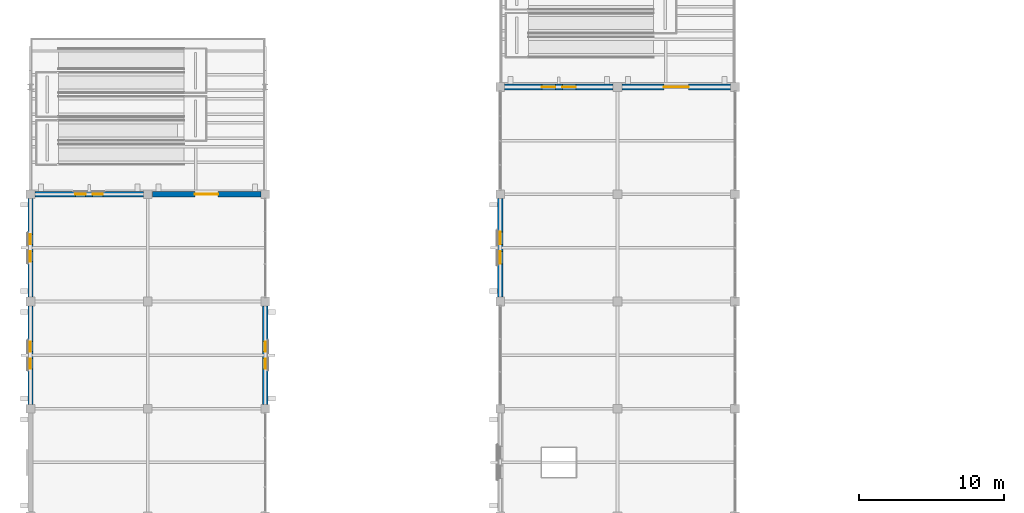
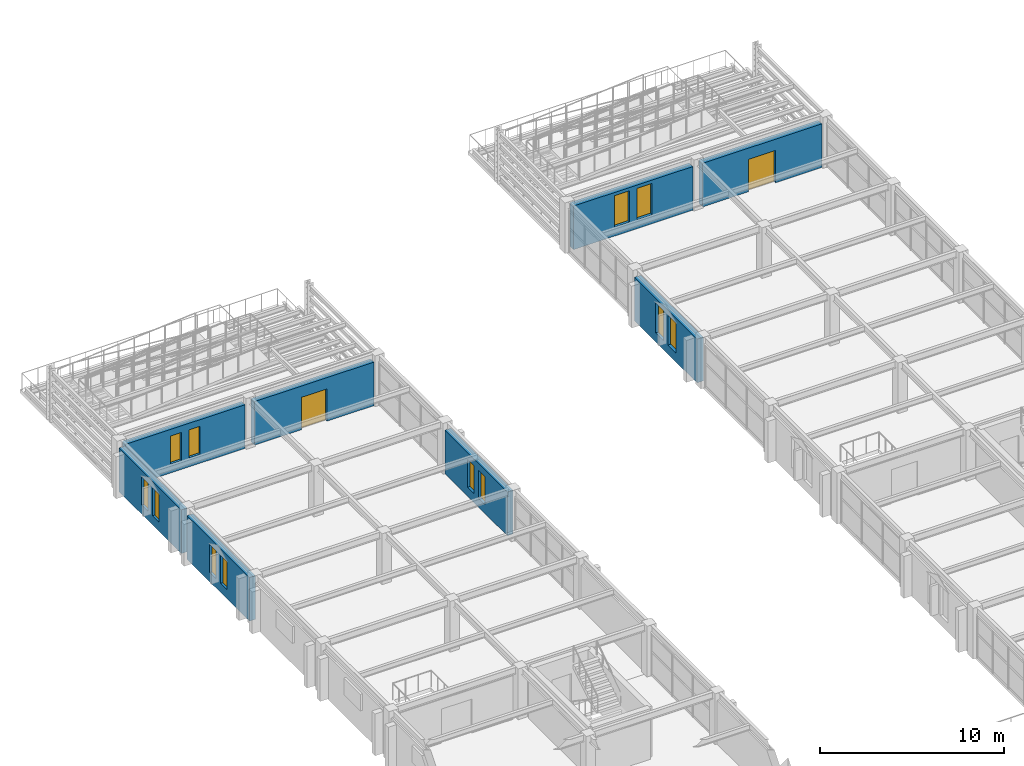
# One storey, part 105 of 121: 12 windows, 8 walls, 2 doors, 14 openings.
"""IFC4 building model written with IfcOpenShell, lengths in metres."""

from ifc_helpers import new_model, si_unit, direction, frame, frame_2d, origin, place, context, subcontext, project, spatial, rectangle, extrude, material, layer, layer_set, type_object, element, fill, save


model = new_model("IFC4")

# Units and contexts
model_context = context("Model", 3, precision=1e-05, world=origin(), true_north=direction((0.0, 1.0)))
body_context = subcontext(model_context, "Body", "Model", "MODEL_VIEW")
ifc_project = project(units=[si_unit("LENGTHUNIT", "METRE"), si_unit("AREAUNIT", "SQUARE_METRE"), si_unit("VOLUMEUNIT", "CUBIC_METRE"), si_unit("PLANEANGLEUNIT", "RADIAN"), si_unit("MASSUNIT", "GRAM", prefix="KILO")], contexts=[model_context])

# Site, building, storey
site_placement = place(None, origin())
site = spatial("IfcSite", under=ifc_project, at=site_placement, CompositionType="ELEMENT")
building_placement = place(site_placement, origin())
building = spatial("IfcBuilding", under=site, at=building_placement, Name="Cimatlan Art Gallery", CompositionType="ELEMENT")
storey_placement = place(building_placement, frame((0.0, 0.0, 10.199951171875)))
storey = spatial("IfcBuildingStorey", under=building, at=storey_placement, Name="L02", CompositionType="ELEMENT", Elevation=10.199951171875)

# Wall, openings, windows
ifc_material_1 = material(Name="Precast concrete C40/50", Category="concrete")
ifc_layer_1 = layer(ifc_material_1, 0.39990234375)
ifc_layer_set_1 = layer_set([ifc_layer_1], Name="Precast concrete C40/50")
wall_type_1 = type_object("IfcWallType", Name="WL-EXT-CAN-400", PredefinedType="SOLIDWALL", material=ifc_layer_set_1)
wall_1_placement = place(storey_placement, frame((34.39990234375, 76.00390625, 0.0), z_axis=(0.0, 0.0, 1.0), x_axis=(0.0, 1.0, 0.0)))
wall_1 = element("IfcWall", 1, at=wall_1_placement, inside=storey, type_object=wall_type_1, Name="WL-EXT-L02-04-10-W", PredefinedType="SOLIDWALL", context=body_context, shape_type="SweptSolid", body=[
    extrude(rectangle(XDim=6.7919921875, YDim=0.39990234375, at=frame_2d((3.39599609375, 0.0))), origin(), (0.0, 0.0, 1.0), 2.89794921875),
])
opening_1_placement = place(wall_1_placement, frame((2.2958984375, 0.0, 0.60009765625)))
opening_1 = element("IfcOpeningElement", 2, at=opening_1_placement, cuts=wall_1, Name="Opening WN-0151", PredefinedType="OPENING", context=body_context, shape_type="SweptSolid", body=[
    extrude(rectangle(XDim=0.860107421875, YDim=1.989990234375, at=frame_2d((0.43017578125, 0.9951171875))), frame((0.0, 0.2099609375, 0.0), z_axis=(0.0, -1.0, 0.0), x_axis=(1.0, 0.0, 0.0)), (0.0, 0.0, 1.0), 0.419921875),
])
opening_2_placement = place(wall_1_placement, frame((3.635986328125, 0.0, 0.60009765625)))
opening_2 = element("IfcOpeningElement", 3, at=opening_2_placement, cuts=wall_1, Name="Opening WN-0152", PredefinedType="OPENING", context=body_context, shape_type="SweptSolid", body=[
    extrude(rectangle(XDim=0.860107421875, YDim=1.989990234375, at=frame_2d((0.43017578125, 0.9951171875))), frame((0.0, 0.2099609375, 0.0), z_axis=(0.0, -1.0, 0.0), x_axis=(1.0, 0.0, 0.0)), (0.0, 0.0, 1.0), 0.419921875),
])
ifc_material_2 = material(Name="Low-E laminated double glazing in bronze lancet frame", Category="glass")
window_type_1 = type_object("IfcWindowType", Name="WIN-PAV-W2-0860X1990", PartitioningType="SINGLE_PANEL", PredefinedType="WINDOW", material=ifc_material_2)
window_1_placement = place(opening_1_placement, origin())
window_1 = element("IfcWindow", 4, at=window_1_placement, inside=storey, type_object=window_type_1, Name="WIN-0151", OverallHeight=1.989990234375, OverallWidth=0.860107421875, PartitioningType="SINGLE_PANEL", PredefinedType="WINDOW", context=body_context, shape_type="SweptSolid", body=[
    extrude(rectangle(XDim=0.860107421875, YDim=1.989990234375, at=frame_2d((0.43017578125, 0.9951171875))), frame((0.0, 0.030029296875, 0.0), z_axis=(0.0, -1.0, 0.0), x_axis=(1.0, 0.0, 0.0)), (0.0, 0.0, 1.0), 0.06005859375),
])
fill(opening_1, window_1)
window_2_placement = place(opening_2_placement, origin())
window_2 = element("IfcWindow", 5, at=window_2_placement, inside=storey, type_object=window_type_1, Name="WIN-0152", OverallHeight=1.989990234375, OverallWidth=0.860107421875, PartitioningType="SINGLE_PANEL", PredefinedType="WINDOW", context=body_context, shape_type="SweptSolid", body=[
    extrude(rectangle(XDim=0.860107421875, YDim=1.989990234375, at=frame_2d((0.43017578125, 0.9951171875))), frame((0.0, 0.030029296875, 0.0), z_axis=(0.0, -1.0, 0.0), x_axis=(1.0, 0.0, 0.0)), (0.0, 0.0, 1.0), 0.06005859375),
])
fill(opening_2, window_2)

wall_2_placement = place(storey_placement, frame((34.7041015625, 90.5, 0.0), z_axis=(0.0, 0.0, 1.0), x_axis=(1.0, 0.0, 0.0)))
wall_2 = element("IfcWall", 6, at=wall_2_placement, inside=storey, type_object=wall_type_1, Name="WL-EXT-L02-04-11-N", PredefinedType="SOLIDWALL", context=body_context, shape_type="SweptSolid", body=[
    extrude(rectangle(XDim=7.491943359375, YDim=0.39990234375, at=frame_2d((3.74609375, 0.0))), origin(), (0.0, 0.0, 1.0), 2.89794921875),
])
opening_3_placement = place(wall_2_placement, frame((2.56591796875, 0.0, 0.60009765625)))
opening_3 = element("IfcOpeningElement", 7, at=opening_3_placement, cuts=wall_2, Name="Opening WN-0153", PredefinedType="OPENING", context=body_context, shape_type="SweptSolid", body=[
    extrude(rectangle(XDim=0.93994140625, YDim=2.080078125, at=frame_2d((0.469970703125, 1.0400390625))), frame((0.0, 0.2099609375, 0.0), z_axis=(0.0, -1.0, 0.0), x_axis=(1.0, 0.0, 0.0)), (0.0, 0.0, 1.0), 0.419921875),
])
opening_4_placement = place(wall_2_placement, frame((3.986083984375, 0.0, 0.60009765625)))
opening_4 = element("IfcOpeningElement", 8, at=opening_4_placement, cuts=wall_2, Name="Opening WN-0154", PredefinedType="OPENING", context=body_context, shape_type="SweptSolid", body=[
    extrude(rectangle(XDim=0.93994140625, YDim=2.080078125, at=frame_2d((0.469970703125, 1.0400390625))), frame((0.0, 0.2099609375, 0.0), z_axis=(0.0, -1.0, 0.0), x_axis=(1.0, 0.0, 0.0)), (0.0, 0.0, 1.0), 0.419921875),
])
window_type_2 = type_object("IfcWindowType", Name="WIN-N-L02-0940X2080", PartitioningType="SINGLE_PANEL", PredefinedType="WINDOW", material=ifc_material_2)
window_3_placement = place(opening_3_placement, origin())
window_3 = element("IfcWindow", 9, at=window_3_placement, inside=storey, type_object=window_type_2, Name="WIN-0153", OverallHeight=2.080078125, OverallWidth=0.93994140625, PartitioningType="SINGLE_PANEL", PredefinedType="WINDOW", context=body_context, shape_type="SweptSolid", body=[
    extrude(rectangle(XDim=0.93994140625, YDim=2.080078125, at=frame_2d((0.469970703125, 1.0400390625))), frame((0.0, 0.030029296875, 0.0), z_axis=(0.0, -1.0, 0.0), x_axis=(1.0, 0.0, 0.0)), (0.0, 0.0, 1.0), 0.06005859375),
])
fill(opening_3, window_3)
window_4_placement = place(opening_4_placement, origin())
window_4 = element("IfcWindow", 10, at=window_4_placement, inside=storey, type_object=window_type_2, Name="WIN-0154", OverallHeight=2.080078125, OverallWidth=0.93994140625, PartitioningType="SINGLE_PANEL", PredefinedType="WINDOW", context=body_context, shape_type="SweptSolid", body=[
    extrude(rectangle(XDim=0.93994140625, YDim=2.080078125, at=frame_2d((0.469970703125, 1.0400390625))), frame((0.0, 0.030029296875, 0.0), z_axis=(0.0, -1.0, 0.0), x_axis=(1.0, 0.0, 0.0)), (0.0, 0.0, 1.0), 0.06005859375),
])
fill(opening_4, window_4)

# Wall, opening, door
wall_3_placement = place(storey_placement, frame((42.803955078125, 90.5, 0.0), z_axis=(0.0, 0.0, 1.0), x_axis=(1.0, 0.0, 0.0)))
wall_3 = element("IfcWall", 11, at=wall_3_placement, inside=storey, type_object=wall_type_1, Name="WL-EXT-L02-05-11-N", PredefinedType="SOLIDWALL", context=body_context, shape_type="SweptSolid", body=[
    extrude(rectangle(XDim=7.491943359375, YDim=0.39990234375, at=frame_2d((3.74609375, 0.0))), origin(), (0.0, 0.0, 1.0), 2.89794921875),
])
opening_5_placement = place(wall_3_placement, frame((2.89599609375, 0.0, 0.0)))
opening_5 = element("IfcOpeningElement", 12, at=opening_5_placement, cuts=wall_3, Name="Opening D-L02-T02", PredefinedType="OPENING", context=body_context, shape_type="SweptSolid", body=[
    extrude(rectangle(XDim=1.699951171875, YDim=2.14990234375, at=frame_2d((0.85009765625, 1.074951171875))), frame((0.0, 0.2099609375, 0.0), z_axis=(0.0, -1.0, 0.0), x_axis=(1.0, 0.0, 0.0)), (0.0, 0.0, 1.0), 0.419921875),
])
ifc_material_3 = material(Name="Anodised bronze and laminated safety glass door", Category="glass")
door_type_1 = type_object("IfcDoorType", Name="DE-TR-1700", OperationType="NOTDEFINED", PredefinedType="DOOR", material=ifc_material_3)
door_1_placement = place(opening_5_placement, origin())
door_1 = element("IfcDoor", 13, at=door_1_placement, inside=storey, type_object=door_type_1, Name="D-L02-T02", OperationType="SINGLE_SWING_LEFT", OverallHeight=2.14990234375, OverallWidth=1.699951171875, PredefinedType="DOOR", context=body_context, shape_type="SweptSolid", body=[
    extrude(rectangle(XDim=1.699951171875, YDim=2.14990234375, at=frame_2d((0.85009765625, 1.074951171875))), frame((0.0, 0.02490234375, 0.0), z_axis=(0.0, -1.0, 0.0), x_axis=(1.0, 0.0, 0.0)), (0.0, 0.0, 1.0), 0.050048828125),
])
fill(opening_5, door_1)

# Wall, openings, windows
ifc_layer_2 = layer(ifc_material_1, 0.364990234375)
ifc_layer_set_2 = layer_set([ifc_layer_2], Name="Precast concrete C40/50")
wall_type_2 = type_object("IfcWallType", Name="WL-EXT-VLT-365", PredefinedType="SOLIDWALL", material=ifc_layer_set_2)
wall_4_placement = place(storey_placement, frame((2.0, 68.60400390625, 0.0), z_axis=(0.0, 0.0, 1.0), x_axis=(0.0, 1.0, 0.0)))
wall_4 = element("IfcWall", 14, at=wall_4_placement, inside=storey, type_object=wall_type_2, Name="WL-EXT-L02-00-09-W", PredefinedType="SOLIDWALL", context=body_context, shape_type="SweptSolid", body=[
    extrude(rectangle(XDim=6.7919921875, YDim=0.364990234375, at=frame_2d((3.39599609375, 0.0))), origin(), (0.0, 0.0, 1.0), 2.89794921875),
])
opening_6_placement = place(wall_4_placement, frame((2.4560546875, 0.0, 0.60009765625)))
opening_6 = element("IfcOpeningElement", 15, at=opening_6_placement, cuts=wall_4, Name="Opening WN-0131", PredefinedType="OPENING", context=body_context, shape_type="SweptSolid", body=[
    extrude(rectangle(XDim=0.699951171875, YDim=1.860107421875, at=frame_2d((0.35009765625, 0.93017578125))), frame((0.0, 0.1923828125, 0.0), z_axis=(0.0, -1.0, 0.0), x_axis=(1.0, 0.0, 0.0)), (0.0, 0.0, 1.0), 0.385009765625),
])
opening_7_placement = place(wall_4_placement, frame((3.635986328125, 0.0, 0.60009765625)))
opening_7 = element("IfcOpeningElement", 16, at=opening_7_placement, cuts=wall_4, Name="Opening WN-0132", PredefinedType="OPENING", context=body_context, shape_type="SweptSolid", body=[
    extrude(rectangle(XDim=0.699951171875, YDim=1.860107421875, at=frame_2d((0.35009765625, 0.93017578125))), frame((0.0, 0.1923828125, 0.0), z_axis=(0.0, -1.0, 0.0), x_axis=(1.0, 0.0, 0.0)), (0.0, 0.0, 1.0), 0.385009765625),
])
window_type_3 = type_object("IfcWindowType", Name="WIN-CNS-L02-0700X1860", PartitioningType="SINGLE_PANEL", PredefinedType="WINDOW", material=ifc_material_2)
window_5_placement = place(opening_6_placement, origin())
window_5 = element("IfcWindow", 17, at=window_5_placement, inside=storey, type_object=window_type_3, Name="WIN-0131", OverallHeight=1.860107421875, OverallWidth=0.699951171875, PartitioningType="SINGLE_PANEL", PredefinedType="WINDOW", context=body_context, shape_type="SweptSolid", body=[
    extrude(rectangle(XDim=0.699951171875, YDim=1.860107421875, at=frame_2d((0.35009765625, 0.93017578125))), frame((0.0, 0.030029296875, 0.0), z_axis=(0.0, -1.0, 0.0), x_axis=(1.0, 0.0, 0.0)), (0.0, 0.0, 1.0), 0.06005859375),
])
fill(opening_6, window_5)
window_6_placement = place(opening_7_placement, origin())
window_6 = element("IfcWindow", 18, at=window_6_placement, inside=storey, type_object=window_type_3, Name="WIN-0132", OverallHeight=1.860107421875, OverallWidth=0.699951171875, PartitioningType="SINGLE_PANEL", PredefinedType="WINDOW", context=body_context, shape_type="SweptSolid", body=[
    extrude(rectangle(XDim=0.699951171875, YDim=1.860107421875, at=frame_2d((0.35009765625, 0.93017578125))), frame((0.0, 0.030029296875, 0.0), z_axis=(0.0, -1.0, 0.0), x_axis=(1.0, 0.0, 0.0)), (0.0, 0.0, 1.0), 0.06005859375),
])
fill(opening_7, window_6)

wall_5_placement = place(storey_placement, frame((2.303955078125, 83.10009765625, 0.0), z_axis=(0.0, 0.0, 1.0), x_axis=(1.0, 0.0, 0.0)))
wall_5 = element("IfcWall", 19, at=wall_5_placement, inside=storey, type_object=wall_type_2, Name="WL-EXT-L02-00-10-N", PredefinedType="SOLIDWALL", context=body_context, shape_type="SweptSolid", body=[
    extrude(rectangle(XDim=7.491943359375, YDim=0.364990234375, at=frame_2d((3.74609375, 0.0))), origin(), (0.0, 0.0, 1.0), 2.89794921875),
])
opening_8_placement = place(wall_5_placement, frame((2.805908203125, 0.0, 0.60009765625)))
opening_8 = element("IfcOpeningElement", 20, at=opening_8_placement, cuts=wall_5, Name="Opening WN-0133", PredefinedType="OPENING", context=body_context, shape_type="SweptSolid", body=[
    extrude(rectangle(XDim=0.699951171875, YDim=1.860107421875, at=frame_2d((0.35009765625, 0.93017578125))), frame((0.0, 0.1923828125, 0.0), z_axis=(0.0, -1.0, 0.0), x_axis=(1.0, 0.0, 0.0)), (0.0, 0.0, 1.0), 0.385009765625),
])
opening_9_placement = place(wall_5_placement, frame((3.986083984375, 0.0, 0.60009765625)))
opening_9 = element("IfcOpeningElement", 21, at=opening_9_placement, cuts=wall_5, Name="Opening WN-0134", PredefinedType="OPENING", context=body_context, shape_type="SweptSolid", body=[
    extrude(rectangle(XDim=0.699951171875, YDim=1.860107421875, at=frame_2d((0.35009765625, 0.93017578125))), frame((0.0, 0.1923828125, 0.0), z_axis=(0.0, -1.0, 0.0), x_axis=(1.0, 0.0, 0.0)), (0.0, 0.0, 1.0), 0.385009765625),
])
window_7_placement = place(opening_8_placement, origin())
window_7 = element("IfcWindow", 22, at=window_7_placement, inside=storey, type_object=window_type_3, Name="WIN-0133", OverallHeight=1.860107421875, OverallWidth=0.699951171875, PartitioningType="SINGLE_PANEL", PredefinedType="WINDOW", context=body_context, shape_type="SweptSolid", body=[
    extrude(rectangle(XDim=0.699951171875, YDim=1.860107421875, at=frame_2d((0.35009765625, 0.93017578125))), frame((0.0, 0.030029296875, 0.0), z_axis=(0.0, -1.0, 0.0), x_axis=(1.0, 0.0, 0.0)), (0.0, 0.0, 1.0), 0.06005859375),
])
fill(opening_8, window_7)
window_8_placement = place(opening_9_placement, origin())
window_8 = element("IfcWindow", 23, at=window_8_placement, inside=storey, type_object=window_type_3, Name="WIN-0134", OverallHeight=1.860107421875, OverallWidth=0.699951171875, PartitioningType="SINGLE_PANEL", PredefinedType="WINDOW", context=body_context, shape_type="SweptSolid", body=[
    extrude(rectangle(XDim=0.699951171875, YDim=1.860107421875, at=frame_2d((0.35009765625, 0.93017578125))), frame((0.0, 0.030029296875, 0.0), z_axis=(0.0, -1.0, 0.0), x_axis=(1.0, 0.0, 0.0)), (0.0, 0.0, 1.0), 0.06005859375),
])
fill(opening_9, window_8)

wall_6_placement = place(storey_placement, frame((2.0, 76.00390625, 0.0), z_axis=(0.0, 0.0, 1.0), x_axis=(0.0, 1.0, 0.0)))
wall_6 = element("IfcWall", 24, at=wall_6_placement, inside=storey, type_object=wall_type_2, Name="WL-EXT-L02-00-10-W", PredefinedType="SOLIDWALL", context=body_context, shape_type="SweptSolid", body=[
    extrude(rectangle(XDim=6.7919921875, YDim=0.364990234375, at=frame_2d((3.39599609375, 0.0))), origin(), (0.0, 0.0, 1.0), 2.89794921875),
])
opening_10_placement = place(wall_6_placement, frame((2.4560546875, 0.0, 0.60009765625)))
opening_10 = element("IfcOpeningElement", 25, at=opening_10_placement, cuts=wall_6, Name="Opening WN-0135", PredefinedType="OPENING", context=body_context, shape_type="SweptSolid", body=[
    extrude(rectangle(XDim=0.699951171875, YDim=1.860107421875, at=frame_2d((0.35009765625, 0.93017578125))), frame((0.0, 0.1923828125, 0.0), z_axis=(0.0, -1.0, 0.0), x_axis=(1.0, 0.0, 0.0)), (0.0, 0.0, 1.0), 0.385009765625),
])
opening_11_placement = place(wall_6_placement, frame((3.635986328125, 0.0, 0.60009765625)))
opening_11 = element("IfcOpeningElement", 26, at=opening_11_placement, cuts=wall_6, Name="Opening WN-0136", PredefinedType="OPENING", context=body_context, shape_type="SweptSolid", body=[
    extrude(rectangle(XDim=0.699951171875, YDim=1.860107421875, at=frame_2d((0.35009765625, 0.93017578125))), frame((0.0, 0.1923828125, 0.0), z_axis=(0.0, -1.0, 0.0), x_axis=(1.0, 0.0, 0.0)), (0.0, 0.0, 1.0), 0.385009765625),
])
window_9_placement = place(opening_10_placement, origin())
window_9 = element("IfcWindow", 27, at=window_9_placement, inside=storey, type_object=window_type_3, Name="WIN-0135", OverallHeight=1.860107421875, OverallWidth=0.699951171875, PartitioningType="SINGLE_PANEL", PredefinedType="WINDOW", context=body_context, shape_type="SweptSolid", body=[
    extrude(rectangle(XDim=0.699951171875, YDim=1.860107421875, at=frame_2d((0.35009765625, 0.93017578125))), frame((0.0, 0.030029296875, 0.0), z_axis=(0.0, -1.0, 0.0), x_axis=(1.0, 0.0, 0.0)), (0.0, 0.0, 1.0), 0.06005859375),
])
fill(opening_10, window_9)
window_10_placement = place(opening_11_placement, origin())
window_10 = element("IfcWindow", 28, at=window_10_placement, inside=storey, type_object=window_type_3, Name="WIN-0136", OverallHeight=1.860107421875, OverallWidth=0.699951171875, PartitioningType="SINGLE_PANEL", PredefinedType="WINDOW", context=body_context, shape_type="SweptSolid", body=[
    extrude(rectangle(XDim=0.699951171875, YDim=1.860107421875, at=frame_2d((0.35009765625, 0.93017578125))), frame((0.0, 0.030029296875, 0.0), z_axis=(0.0, -1.0, 0.0), x_axis=(1.0, 0.0, 0.0)), (0.0, 0.0, 1.0), 0.06005859375),
])
fill(opening_11, window_10)

wall_7_placement = place(storey_placement, frame((18.199951171875, 75.39599609375, 0.0), z_axis=(0.0, 0.0, 1.0), x_axis=(0.0, -1.0, 0.0)))
wall_7 = element("IfcWall", 29, at=wall_7_placement, inside=storey, type_object=wall_type_2, Name="WL-EXT-L02-01-09-E", PredefinedType="SOLIDWALL", context=body_context, shape_type="SweptSolid", body=[
    extrude(rectangle(XDim=6.7919921875, YDim=0.364990234375, at=frame_2d((3.39599609375, 0.0))), origin(), (0.0, 0.0, 1.0), 2.89794921875),
])
opening_12_placement = place(wall_7_placement, frame((2.4560546875, 0.0, 0.60009765625)))
opening_12 = element("IfcOpeningElement", 30, at=opening_12_placement, cuts=wall_7, Name="Opening WN-0139", PredefinedType="OPENING", context=body_context, shape_type="SweptSolid", body=[
    extrude(rectangle(XDim=0.699951171875, YDim=1.860107421875, at=frame_2d((0.35009765625, 0.93017578125))), frame((0.0, 0.1923828125, 0.0), z_axis=(0.0, -1.0, 0.0), x_axis=(1.0, 0.0, 0.0)), (0.0, 0.0, 1.0), 0.385009765625),
])
opening_13_placement = place(wall_7_placement, frame((3.635986328125, 0.0, 0.60009765625)))
opening_13 = element("IfcOpeningElement", 31, at=opening_13_placement, cuts=wall_7, Name="Opening WN-0140", PredefinedType="OPENING", context=body_context, shape_type="SweptSolid", body=[
    extrude(rectangle(XDim=0.699951171875, YDim=1.860107421875, at=frame_2d((0.35009765625, 0.93017578125))), frame((0.0, 0.1923828125, 0.0), z_axis=(0.0, -1.0, 0.0), x_axis=(1.0, 0.0, 0.0)), (0.0, 0.0, 1.0), 0.385009765625),
])
window_11_placement = place(opening_12_placement, origin())
window_11 = element("IfcWindow", 32, at=window_11_placement, inside=storey, type_object=window_type_3, Name="WIN-0139", OverallHeight=1.860107421875, OverallWidth=0.699951171875, PartitioningType="SINGLE_PANEL", PredefinedType="WINDOW", context=body_context, shape_type="SweptSolid", body=[
    extrude(rectangle(XDim=0.699951171875, YDim=1.860107421875, at=frame_2d((0.35009765625, 0.93017578125))), frame((0.0, 0.030029296875, 0.0), z_axis=(0.0, -1.0, 0.0), x_axis=(1.0, 0.0, 0.0)), (0.0, 0.0, 1.0), 0.06005859375),
])
fill(opening_12, window_11)
window_12_placement = place(opening_13_placement, origin())
window_12 = element("IfcWindow", 33, at=window_12_placement, inside=storey, type_object=window_type_3, Name="WIN-0140", OverallHeight=1.860107421875, OverallWidth=0.699951171875, PartitioningType="SINGLE_PANEL", PredefinedType="WINDOW", context=body_context, shape_type="SweptSolid", body=[
    extrude(rectangle(XDim=0.699951171875, YDim=1.860107421875, at=frame_2d((0.35009765625, 0.93017578125))), frame((0.0, 0.030029296875, 0.0), z_axis=(0.0, -1.0, 0.0), x_axis=(1.0, 0.0, 0.0)), (0.0, 0.0, 1.0), 0.06005859375),
])
fill(opening_13, window_12)

# Wall, opening, door
wall_8_placement = place(storey_placement, frame((10.404052734375, 83.10009765625, 0.0), z_axis=(0.0, 0.0, 1.0), x_axis=(1.0, 0.0, 0.0)))
wall_8 = element("IfcWall", 34, at=wall_8_placement, inside=storey, type_object=wall_type_2, Name="WL-EXT-L02-01-10-N", PredefinedType="SOLIDWALL", context=body_context, shape_type="SweptSolid", body=[
    extrude(rectangle(XDim=7.491943359375, YDim=0.364990234375, at=frame_2d((3.74609375, 0.0))), origin(), (0.0, 0.0, 1.0), 2.89794921875),
])
opening_14_placement = place(wall_8_placement, frame((2.946044921875, 0.0, 0.0)))
opening_14 = element("IfcOpeningElement", 35, at=opening_14_placement, cuts=wall_8, Name="Opening D-L02-T01", PredefinedType="OPENING", context=body_context, shape_type="SweptSolid", body=[
    extrude(rectangle(XDim=1.60009765625, YDim=2.14990234375, at=frame_2d((0.800048828125, 1.074951171875))), frame((0.0, 0.1923828125, 0.0), z_axis=(0.0, -1.0, 0.0), x_axis=(1.0, 0.0, 0.0)), (0.0, 0.0, 1.0), 0.385009765625),
])
door_type_2 = type_object("IfcDoorType", Name="DE-TR-1600", OperationType="NOTDEFINED", PredefinedType="DOOR", material=ifc_material_3)
door_2_placement = place(opening_14_placement, origin())
door_2 = element("IfcDoor", 36, at=door_2_placement, inside=storey, type_object=door_type_2, Name="D-L02-T01", OperationType="SINGLE_SWING_RIGHT", OverallHeight=2.14990234375, OverallWidth=1.60009765625, PredefinedType="DOOR", context=body_context, shape_type="SweptSolid", body=[
    extrude(rectangle(XDim=1.60009765625, YDim=2.14990234375, at=frame_2d((0.800048828125, 1.074951171875))), frame((0.0, 0.02490234375, 0.0), z_axis=(0.0, -1.0, 0.0), x_axis=(1.0, 0.0, 0.0)), (0.0, 0.0, 1.0), 0.050048828125),
])
fill(opening_14, door_2)

save(model, "model.ifc")
